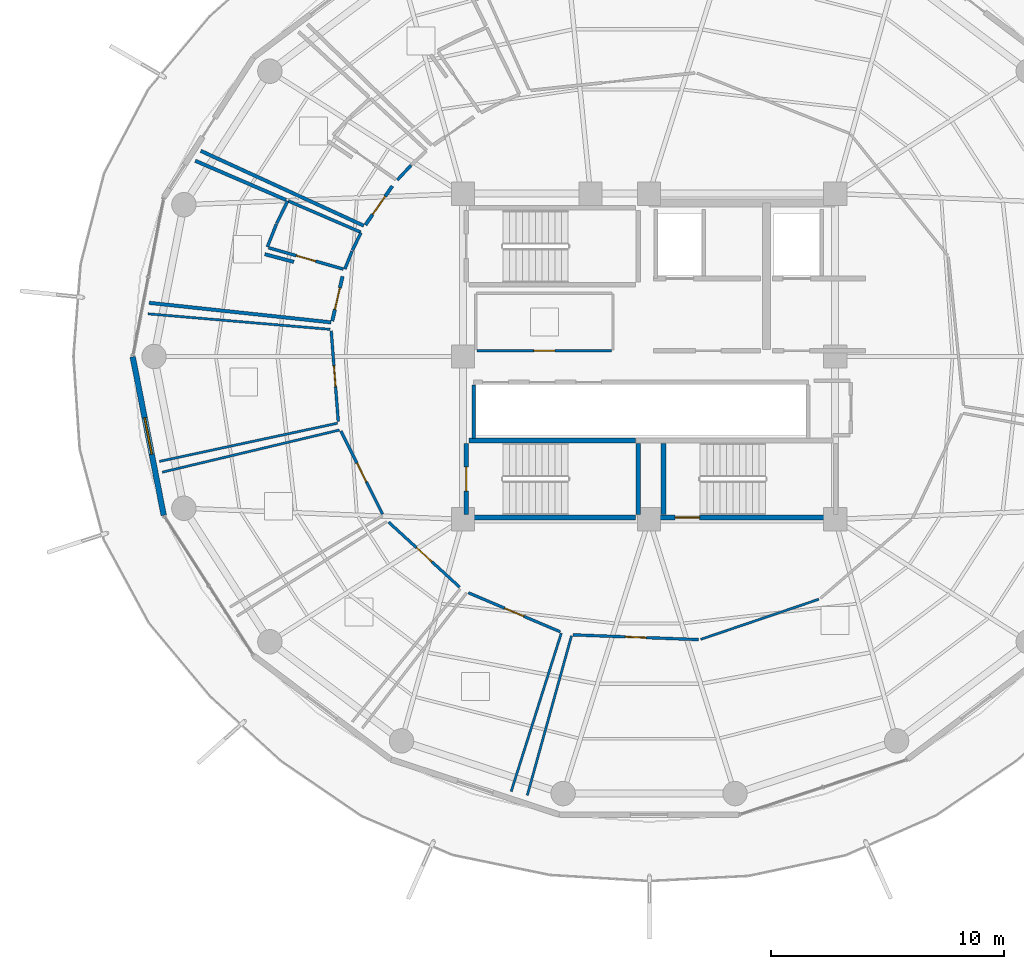
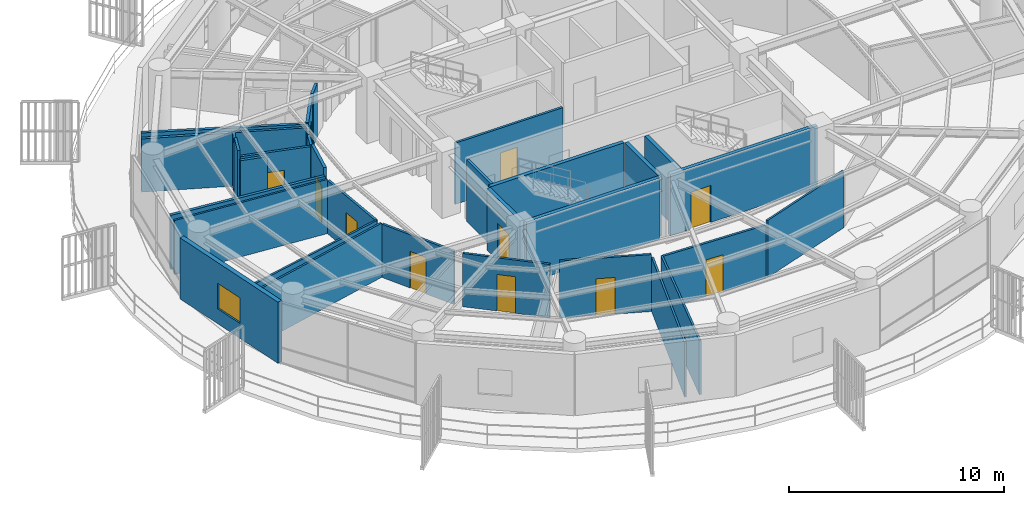
# One storey, part 24 of 31: 33 walls, 11 doors, 1 window, 12 openings.
"""IFC4 building model written with IfcOpenShell, lengths in metres."""

from ifc_helpers import new_model, si_unit, direction, frame, frame_2d, origin, place, context, subcontext, project, spatial, rectangle, extrude, material, layer, layer_set, type_object, element, fill, save


model = new_model("IFC4")

# Units and contexts
model_context = context("Model", 3, precision=1e-05, world=origin(), true_north=direction((0.0, 1.0)))
body_context = subcontext(model_context, "Body", "Model", "MODEL_VIEW")
ifc_project = project(units=[si_unit("LENGTHUNIT", "METRE"), si_unit("AREAUNIT", "SQUARE_METRE"), si_unit("VOLUMEUNIT", "CUBIC_METRE"), si_unit("PLANEANGLEUNIT", "RADIAN"), si_unit("MASSUNIT", "GRAM", prefix="KILO")], contexts=[model_context])

# Site, building, storey
site_placement = place(None, origin())
site = spatial("IfcSite", under=ifc_project, at=site_placement, CompositionType="ELEMENT")
building_placement = place(site_placement, origin())
building = spatial("IfcBuilding", under=site, at=building_placement, Name="Kelanora Arch Commons", CompositionType="ELEMENT")
storey_placement = place(building_placement, frame((0.0, 0.0, 223.199951171875)))
storey = spatial("IfcBuildingStorey", under=building, at=storey_placement, Name="L57", CompositionType="ELEMENT", Elevation=223.199951171875)

# Wall
ifc_material_1 = material(Name="Autoclaved aerated concrete blockwork with fire plaster", Category="masonry")
ifc_layer_1 = layer(ifc_material_1, 0.14990234375)
ifc_layer_set_1 = layer_set([ifc_layer_1], Name="Autoclaved aerated concrete blockwork with fire plaster")
wall_type_1 = type_object("IfcWallType", Name="W-COMP-150", PredefinedType="PARTITIONING", material=ifc_layer_set_1)
wall_1_placement = place(storey_placement, frame((66.4599609375, 54.47998046875, 0.0), z_axis=(0.0, 0.0, 1.0), x_axis=(0.0, 1.0, 0.0)))
element("IfcWall", 1, at=wall_1_placement, inside=storey, type_object=wall_type_1, Name="South Lift Bank West Wall L57", PredefinedType="PARTITIONING", context=body_context, shape_type="SweptSolid", body=[
    extrude(rectangle(XDim=2.2900390625, YDim=0.14990234375, at=frame_2d((1.14501953125, 0.0))), origin(), (0.0, 0.0, 1.0), 3.47998046875),
])

# Wall, opening, door
wall_2_placement = place(storey_placement, frame((62.962890625, 65.32568359375, 0.0), z_axis=(0.0, 0.0, 1.0), x_axis=(-0.569634666298, -0.821898014933, 0.0)))
wall_2 = element("IfcWall", 2, at=wall_2_placement, inside=storey, type_object=wall_type_1, Name="Cluster Bedroom L57-02 Entry Partition", PredefinedType="PARTITIONING", context=body_context, shape_type="SweptSolid", body=[
    extrude(rectangle(XDim=2.032470703125, YDim=0.14990234375, at=frame_2d((1.01611328125, 0.0))), origin(), (0.0, 0.0, 1.0), 3.025146484375),
])
opening_1_placement = place(wall_2_placement, frame((0.541015625, 0.0, 0.0)))
opening_1 = element("IfcOpeningElement", 3, at=opening_1_placement, cuts=wall_2, Name="Opening D-CLU1", PredefinedType="OPENING", context=body_context, shape_type="SweptSolid", body=[
    extrude(rectangle(XDim=0.949951171875, YDim=2.080078125, at=frame_2d((0.47509765625, 1.0400390625))), frame((0.0, 0.0849609375, 0.0), z_axis=(0.0, -1.0, 0.0), x_axis=(1.0, 0.0, 0.0)), (0.0, 0.0, 1.0), 0.169921875),
])
ifc_material_2 = material(Name="Solid-core acoustic timber cluster entry fire door", Category="wood")
door_type_1 = type_object("IfcDoorType", Name="D-CLU-95", OperationType="NOTDEFINED", PredefinedType="DOOR", material=ifc_material_2)
door_1_placement = place(opening_1_placement, origin())
door_1 = element("IfcDoor", 4, at=door_1_placement, inside=storey, type_object=door_type_1, Name="Cluster Bedroom L57-02 Door", OperationType="SINGLE_SWING_RIGHT", OverallHeight=2.080078125, OverallWidth=0.949951171875, PredefinedType="DOOR", context=body_context, shape_type="SweptSolid", body=[
    extrude(rectangle(XDim=0.949951171875, YDim=2.080078125, at=frame_2d((0.47509765625, 1.0400390625))), frame((0.0, 0.02490234375, 0.0), z_axis=(0.0, -1.0, 0.0), x_axis=(1.0, 0.0, 0.0)), (0.0, 0.0, 1.0), 0.050048828125),
])
fill(opening_1, door_1)

wall_3_placement = place(storey_placement, frame((60.822509765625, 61.445556640625, 0.0), z_axis=(0.0, 0.0, 1.0), x_axis=(-0.223956243079, -0.97459920028, 0.0)))
wall_3 = element("IfcWall", 5, at=wall_3_placement, inside=storey, type_object=wall_type_1, Name="Cluster Bedroom L57-03 Entry Partition", PredefinedType="PARTITIONING", context=body_context, shape_type="SweptSolid", body=[
    extrude(rectangle(XDim=1.97412109375, YDim=0.14990234375, at=frame_2d((0.987060546875, 0.0))), origin(), (0.0, 0.0, 1.0), 3.47998046875),
])
opening_2_placement = place(wall_3_placement, frame((0.511962890625, 0.0, 0.0)))
opening_2 = element("IfcOpeningElement", 6, at=opening_2_placement, cuts=wall_3, Name="Opening D-CLU1", PredefinedType="OPENING", context=body_context, shape_type="SweptSolid", body=[
    extrude(rectangle(XDim=0.949951171875, YDim=2.080078125, at=frame_2d((0.47509765625, 1.0400390625))), frame((0.0, 0.0849609375, 0.0), z_axis=(0.0, -1.0, 0.0), x_axis=(1.0, 0.0, 0.0)), (0.0, 0.0, 1.0), 0.169921875),
])
door_2_placement = place(opening_2_placement, origin())
door_2 = element("IfcDoor", 7, at=door_2_placement, inside=storey, type_object=door_type_1, Name="Cluster Bedroom L57-03 Door", OperationType="SINGLE_SWING_RIGHT", OverallHeight=2.080078125, OverallWidth=0.949951171875, PredefinedType="DOOR", context=body_context, shape_type="SweptSolid", body=[
    extrude(rectangle(XDim=0.949951171875, YDim=2.080078125, at=frame_2d((0.47509765625, 1.0400390625))), frame((0.0, 0.02490234375, 0.0), z_axis=(0.0, -1.0, 0.0), x_axis=(1.0, 0.0, 0.0)), (0.0, 0.0, 1.0), 0.050048828125),
])
fill(opening_2, door_2)

# Walls
wall_4_placement = place(storey_placement, frame((61.734619140625, 63.622802734375, 0.0), z_axis=(0.0, 0.0, 1.0), x_axis=(-0.908799831152, 0.417232389561, 0.0)))
element("IfcWall", 8, at=wall_4_placement, inside=storey, type_object=wall_type_1, Name="Cluster Bedroom L57-02 Enclosure Partition 2", PredefinedType="PARTITIONING", context=body_context, shape_type="SweptSolid", body=[
    extrude(rectangle(XDim=7.711669921875, YDim=0.14990234375, at=frame_2d((3.85595703125, 0.0))), origin(), (0.0, 0.0, 1.0), 3.025146484375),
])
wall_5_placement = place(storey_placement, frame((60.3271484375, 59.46728515625, 0.0), z_axis=(0.0, 0.0, 1.0), x_axis=(-0.994280915129, 0.10679635673, 0.0)))
element("IfcWall", 9, at=wall_5_placement, inside=storey, type_object=wall_type_1, Name="Cluster Bedroom L57-03 Enclosure Partition 2", PredefinedType="PARTITIONING", context=body_context, shape_type="SweptSolid", body=[
    extrude(rectangle(XDim=7.859375, YDim=0.14990234375, at=frame_2d((3.9296875, 0.0))), origin(), (0.0, 0.0, 1.0), 3.074951171875),
])
wall_6_placement = place(storey_placement, frame((54.49169921875, 66.4140625, 0.0), z_axis=(0.0, 0.0, 1.0), x_axis=(0.918147334224, -0.396239160934, 0.0)))
element("IfcWall", 10, at=wall_6_placement, inside=storey, type_object=wall_type_1, Name="Cluster Bedroom L57-03 Enclosure Partition 5", PredefinedType="PARTITIONING", context=body_context, shape_type="SweptSolid", body=[
    extrude(rectangle(XDim=4.252685546875, YDim=0.14990234375, at=frame_2d((2.12646484375, 0.0))), origin(), (0.0, 0.0, 1.0), 3.025146484375),
])
wall_7_placement = place(storey_placement, frame((57.482666015625, 62.397705078125, 0.0), z_axis=(0.0, 0.0, 1.0), x_axis=(0.966263202112, -0.257556642788, 0.0)))
element("IfcWall", 11, at=wall_7_placement, inside=storey, type_object=wall_type_1, Name="Cluster Bedroom L57-03 Enclosure Partition 7", PredefinedType="PARTITIONING", context=body_context, shape_type="SweptSolid", body=[
    extrude(rectangle(XDim=1.2900390625, YDim=0.14990234375, at=frame_2d((0.64501953125, 0.0))), origin(), (0.0, 0.0, 1.0), 3.175048828125),
])

# Wall, opening, window
ifc_material_3 = material(Name="Precast concrete C40/50 upper-zone terracotta rainscreen", Category="masonry")
ifc_layer_2 = layer(ifc_material_3, 0.239990234375)
ifc_layer_set_2 = layer_set([ifc_layer_2], Name="Precast concrete C40/50 upper-zone terracotta rainscreen")
wall_type_2 = type_object("IfcWallType", Name="W-EXT-TC2", PredefinedType="SOLIDWALL", material=ifc_layer_set_2)
wall_8_placement = place(storey_placement, frame((51.802978515625, 57.9853515625, 0.0), z_axis=(0.0, 0.0, 1.0), x_axis=(0.192069055673, -0.981381413036, 0.0)))
wall_8 = element("IfcWall", 12, at=wall_8_placement, inside=storey, type_object=wall_type_2, Name="Terracotta Exterior Wall L57-B09", PredefinedType="SOLIDWALL", context=body_context, shape_type="SweptSolid", body=[
    extrude(rectangle(XDim=6.940185546875, YDim=0.239990234375, at=frame_2d((3.47021484375, 0.0))), origin(), (0.0, 0.0, 1.0), 3.47509765625),
])
opening_3_placement = place(wall_8_placement, frame((2.669921875, 0.0, 0.85009765625)))
opening_3 = element("IfcOpeningElement", 13, at=opening_3_placement, cuts=wall_8, Name="Opening WN-01", PredefinedType="OPENING", context=body_context, shape_type="SweptSolid", body=[
    extrude(rectangle(XDim=1.60009765625, YDim=1.449951171875, at=frame_2d((0.800048828125, 0.72509765625))), frame((0.0, 0.1298828125, 0.0), z_axis=(0.0, -1.0, 0.0), x_axis=(1.0, 0.0, 0.0)), (0.0, 0.0, 1.0), 0.260009765625),
])
ifc_material_4 = material(Name="Terracotta-anodised aluminium frame with operable low-E glazing", Category="masonry")
window_type = type_object("IfcWindowType", Name="WIN-CL-18", PartitioningType="DOUBLE_PANEL_VERTICAL", PredefinedType="WINDOW", material=ifc_material_4)
window_placement = place(opening_3_placement, origin())
window = element("IfcWindow", 14, at=window_placement, inside=storey, type_object=window_type, Name="Co-Living Operable Window L57-B09", OverallHeight=1.449951171875, OverallWidth=1.60009765625, PartitioningType="SINGLE_PANEL", PredefinedType="WINDOW", context=body_context, shape_type="SweptSolid", body=[
    extrude(rectangle(XDim=1.60009765625, YDim=1.449951171875, at=frame_2d((0.800048828125, 0.72509765625))), frame((0.0, 0.030029296875, 0.0), z_axis=(0.0, -1.0, 0.0), x_axis=(1.0, 0.0, 0.0)), (0.0, 0.0, 1.0), 0.06005859375),
])
fill(opening_3, window)

# Walls
ifc_material_5 = material(Name="Lightweight fire-rated acoustic stud partition")
ifc_layer_3 = layer(ifc_material_5, 0.10009765625)
ifc_layer_set_3 = layer_set([ifc_layer_3], Name="Lightweight fire-rated acoustic stud partition")
wall_type_3 = type_object("IfcWallType", Name="W-PART-100", PredefinedType="PARTITIONING", material=ifc_layer_set_3)
wall_9_placement = place(storey_placement, frame((76.220947265625, 45.83984375, 0.0), z_axis=(0.0, 0.0, 1.0), x_axis=(0.946842090113, 0.321698704367, 0.0)))
element("IfcWall", 15, at=wall_9_placement, inside=storey, type_object=wall_type_3, Name="South-East Social Sky Lounge L57 Enclosure Partition 2", PredefinedType="PARTITIONING", context=body_context, shape_type="SweptSolid", body=[
    extrude(rectangle(XDim=5.36328125, YDim=0.10009765625, at=frame_2d((2.681640625, 0.0))), origin(), (0.0, 0.0, 1.0), 3.235107421875),
])
wall_10_placement = place(storey_placement, frame((68.765625, 39.137451171875, 0.0), z_axis=(0.0, 0.0, 1.0), x_axis=(0.267125564166, 0.96366173161, 0.0)))
element("IfcWall", 16, at=wall_10_placement, inside=storey, type_object=wall_type_3, Name="South-East Social Sky Lounge L57 Enclosure Partition 10", PredefinedType="PARTITIONING", context=body_context, shape_type="SweptSolid", body=[
    extrude(rectangle(XDim=7.118896484375, YDim=0.10009765625, at=frame_2d((3.5595703125, 0.0))), origin(), (0.0, 0.0, 1.0), 3.074951171875),
])
wall_11_placement = place(storey_placement, frame((60.60595703125, 55.131591796875, 0.0), z_axis=(0.0, 0.0, 1.0), x_axis=(-0.977761328162, -0.209720731335, 0.0)))
element("IfcWall", 17, at=wall_11_placement, inside=storey, type_object=wall_type_3, Name="Shared Cluster Kitchen L57-04 Enclosure Partition 2", PredefinedType="PARTITIONING", context=body_context, shape_type="SweptSolid", body=[
    extrude(rectangle(XDim=7.829833984375, YDim=0.10009765625, at=frame_2d((3.9150390625, 0.0))), origin(), (0.0, 0.0, 1.0), 3.074951171875),
])
wall_12_placement = place(storey_placement, frame((52.456787109375, 59.834716796875, 0.0), z_axis=(0.0, 0.0, 1.0), x_axis=(0.996382192496, -0.084985448623, 0.0)))
element("IfcWall", 18, at=wall_12_placement, inside=storey, type_object=wall_type_3, Name="Shared Cluster Kitchen L57-04 Enclosure Partition 4", PredefinedType="PARTITIONING", context=body_context, shape_type="SweptSolid", body=[
    extrude(rectangle(XDim=7.86279296875, YDim=0.10009765625, at=frame_2d((3.931396484375, 0.0))), origin(), (0.0, 0.0, 1.0), 3.074951171875),
])
wall_13_placement = place(storey_placement, frame((53.079833984375, 53.0283203125, 0.0), z_axis=(0.0, 0.0, 1.0), x_axis=(0.972861128156, 0.231389769272, 0.0)))
element("IfcWall", 19, at=wall_13_placement, inside=storey, type_object=wall_type_3, Name="Social Sky Lounge L57-05 Enclosure Partition 4", PredefinedType="PARTITIONING", context=body_context, shape_type="SweptSolid", body=[
    extrude(rectangle(XDim=7.8193359375, YDim=0.10009765625, at=frame_2d((3.90966796875, 0.0))), origin(), (0.0, 0.0, 1.0), 3.074951171875),
])
wall_14_placement = place(storey_placement, frame((70.226806640625, 46.10400390625, 0.0), z_axis=(0.0, 0.0, 1.0), x_axis=(-0.30191088513, -0.953336151334, 0.0)))
element("IfcWall", 20, at=wall_14_placement, inside=storey, type_object=wall_type_3, Name="Quiet Seminar Study Room L57-07 Enclosure Partition 2", PredefinedType="PARTITIONING", context=body_context, shape_type="SweptSolid", body=[
    extrude(rectangle(XDim=7.134033203125, YDim=0.10009765625, at=frame_2d((3.56689453125, 0.0))), origin(), (0.0, 0.0, 1.0), 3.074951171875),
])

# Wall, opening, door
ifc_material_6 = material(Name="Acoustic twin-stud fire-rated gypsum partition")
ifc_layer_4 = layer(ifc_material_6, 0.1201171875)
ifc_layer_set_4 = layer_set([ifc_layer_4], Name="Acoustic twin-stud fire-rated gypsum partition")
wall_type_4 = type_object("IfcWallType", Name="W-PART-120", PredefinedType="PARTITIONING", material=ifc_layer_set_4)
wall_15_placement = place(storey_placement, frame((66.610107421875, 58.25, 0.0), z_axis=(0.0, 0.0, 1.0), x_axis=(1.0, 0.0, 0.0)))
wall_15 = element("IfcWall", 21, at=wall_15_placement, inside=storey, type_object=wall_type_4, Name="Reclaimed Core Study Pod Lounge L57 Entry Partition", PredefinedType="PARTITIONING", context=body_context, shape_type="SweptSolid", body=[
    extrude(rectangle(XDim=5.77978515625, YDim=0.1201171875, at=frame_2d((2.889892578125, 0.0))), origin(), (0.0, 0.0, 1.0), 3.47998046875),
])
opening_4_placement = place(wall_15_placement, frame((2.43994140625, 0.0, 0.0)))
opening_4 = element("IfcOpeningElement", 22, at=opening_4_placement, cuts=wall_15, Name="Opening D-RM1", PredefinedType="OPENING", context=body_context, shape_type="SweptSolid", body=[
    extrude(rectangle(XDim=0.89990234375, YDim=2.080078125, at=frame_2d((0.449951171875, 1.0400390625))), frame((0.0, 0.070068359375, 0.0), z_axis=(0.0, -1.0, 0.0), x_axis=(1.0, 0.0, 0.0)), (0.0, 0.0, 1.0), 0.14013671875),
])
ifc_material_7 = material(Name="Acoustic fire-rated timber study and lounge door", Category="wood")
door_type_2 = type_object("IfcDoorType", Name="D-ROOM-90", OperationType="NOTDEFINED", PredefinedType="DOOR", material=ifc_material_7)
door_3_placement = place(opening_4_placement, origin())
door_3 = element("IfcDoor", 23, at=door_3_placement, inside=storey, type_object=door_type_2, Name="Reclaimed Core Study Pod Lounge L57 Door", OperationType="SINGLE_SWING_RIGHT", OverallHeight=2.080078125, OverallWidth=0.89990234375, PredefinedType="DOOR", context=body_context, shape_type="SweptSolid", body=[
    extrude(rectangle(XDim=0.89990234375, YDim=2.080078125, at=frame_2d((0.449951171875, 1.0400390625))), frame((0.0, 0.02490234375, 0.0), z_axis=(0.0, -1.0, 0.0), x_axis=(1.0, 0.0, 0.0)), (0.0, 0.0, 1.0), 0.050048828125),
])
fill(opening_4, door_3)

wall_16_placement = place(storey_placement, frame((70.738037109375, 46.03369140625, 0.0), z_axis=(0.0, 0.0, 1.0), x_axis=(0.99928078405, -0.037919844777, 0.0)))
wall_16 = element("IfcWall", 24, at=wall_16_placement, inside=storey, type_object=wall_type_4, Name="South-East Social Sky Lounge L57 Entry Partition", PredefinedType="PARTITIONING", context=body_context, shape_type="SweptSolid", body=[
    extrude(rectangle(XDim=5.388916015625, YDim=0.1201171875, at=frame_2d((2.6943359375, 0.0))), origin(), (0.0, 0.0, 1.0), 3.025146484375),
])
opening_5_placement = place(wall_16_placement, frame((2.243896484375, 0.0, 0.0)))
opening_5 = element("IfcOpeningElement", 25, at=opening_5_placement, cuts=wall_16, Name="Opening D-RM1", PredefinedType="OPENING", context=body_context, shape_type="SweptSolid", body=[
    extrude(rectangle(XDim=0.89990234375, YDim=2.080078125, at=frame_2d((0.449951171875, 1.0400390625))), frame((0.0, 0.070068359375, 0.0), z_axis=(0.0, -1.0, 0.0), x_axis=(1.0, 0.0, 0.0)), (0.0, 0.0, 1.0), 0.14013671875),
])
door_4_placement = place(opening_5_placement, origin())
door_4 = element("IfcDoor", 26, at=door_4_placement, inside=storey, type_object=door_type_2, Name="South-East Social Sky Lounge L57 Door", OperationType="SINGLE_SWING_LEFT", OverallHeight=2.080078125, OverallWidth=0.89990234375, PredefinedType="DOOR", context=body_context, shape_type="SweptSolid", body=[
    extrude(rectangle(XDim=0.89990234375, YDim=2.080078125, at=frame_2d((0.449951171875, 1.0400390625))), frame((0.0, 0.02490234375, 0.0), z_axis=(0.0, -1.0, 0.0), x_axis=(1.0, 0.0, 0.0)), (0.0, 0.0, 1.0), 0.050048828125),
])
fill(opening_5, door_4)

wall_17_placement = place(storey_placement, frame((60.335693359375, 59.103271484375, 0.0), z_axis=(0.0, 0.0, 1.0), x_axis=(0.07781697677, -0.996967661525, 0.0)))
wall_17 = element("IfcWall", 27, at=wall_17_placement, inside=storey, type_object=wall_type_4, Name="Shared Cluster Kitchen L57-04 Entry Partition", PredefinedType="PARTITIONING", context=body_context, shape_type="SweptSolid", body=[
    extrude(rectangle(XDim=3.91552734375, YDim=0.1201171875, at=frame_2d((1.957763671875, 0.0))), origin(), (0.0, 0.0, 1.0), 3.025146484375),
])
opening_6_placement = place(wall_17_placement, frame((1.508056640625, 0.0, 0.0)))
opening_6 = element("IfcOpeningElement", 28, at=opening_6_placement, cuts=wall_17, Name="Opening D-RM1", PredefinedType="OPENING", context=body_context, shape_type="SweptSolid", body=[
    extrude(rectangle(XDim=0.89990234375, YDim=2.080078125, at=frame_2d((0.449951171875, 1.0400390625))), frame((0.0, 0.070068359375, 0.0), z_axis=(0.0, -1.0, 0.0), x_axis=(1.0, 0.0, 0.0)), (0.0, 0.0, 1.0), 0.14013671875),
])
door_5_placement = place(opening_6_placement, origin())
door_5 = element("IfcDoor", 29, at=door_5_placement, inside=storey, type_object=door_type_2, Name="Shared Cluster Kitchen L57-04 Door", OperationType="SINGLE_SWING_LEFT", OverallHeight=2.080078125, OverallWidth=0.89990234375, PredefinedType="DOOR", context=body_context, shape_type="SweptSolid", body=[
    extrude(rectangle(XDim=0.89990234375, YDim=2.080078125, at=frame_2d((0.449951171875, 1.0400390625))), frame((0.0, 0.02490234375, 0.0), z_axis=(0.0, -1.0, 0.0), x_axis=(1.0, 0.0, 0.0)), (0.0, 0.0, 1.0), 0.050048828125),
])
fill(opening_6, door_5)

wall_18_placement = place(storey_placement, frame((60.7529296875, 54.79345703125, 0.0), z_axis=(0.0, 0.0, 1.0), x_axis=(0.448191244457, -0.893937698272, 0.0)))
wall_18 = element("IfcWall", 30, at=wall_18_placement, inside=storey, type_object=wall_type_4, Name="Social Sky Lounge L57-05 Entry Partition", PredefinedType="PARTITIONING", context=body_context, shape_type="SweptSolid", body=[
    extrude(rectangle(XDim=3.994384765625, YDim=0.1201171875, at=frame_2d((1.9970703125, 0.0))), origin(), (0.0, 0.0, 1.0), 3.025146484375),
])
opening_7_placement = place(wall_18_placement, frame((1.547119140625, 0.0, 0.0)))
opening_7 = element("IfcOpeningElement", 31, at=opening_7_placement, cuts=wall_18, Name="Opening D-RM1", PredefinedType="OPENING", context=body_context, shape_type="SweptSolid", body=[
    extrude(rectangle(XDim=0.89990234375, YDim=2.080078125, at=frame_2d((0.449951171875, 1.0400390625))), frame((0.0, 0.070068359375, 0.0), z_axis=(0.0, -1.0, 0.0), x_axis=(1.0, 0.0, 0.0)), (0.0, 0.0, 1.0), 0.14013671875),
])
door_6_placement = place(opening_7_placement, origin())
door_6 = element("IfcDoor", 32, at=door_6_placement, inside=storey, type_object=door_type_2, Name="Social Sky Lounge L57-05 Door", OperationType="SINGLE_SWING_RIGHT", OverallHeight=2.080078125, OverallWidth=0.89990234375, PredefinedType="DOOR", context=body_context, shape_type="SweptSolid", body=[
    extrude(rectangle(XDim=0.89990234375, YDim=2.080078125, at=frame_2d((0.449951171875, 1.0400390625))), frame((0.0, 0.02490234375, 0.0), z_axis=(0.0, -1.0, 0.0), x_axis=(1.0, 0.0, 0.0)), (0.0, 0.0, 1.0), 0.050048828125),
])
fill(opening_7, door_6)

wall_19_placement = place(storey_placement, frame((62.80322265625, 50.87939453125, 0.0), z_axis=(0.0, 0.0, 1.0), x_axis=(0.737723633035, -0.675102837545, 0.0)))
wall_19 = element("IfcWall", 33, at=wall_19_placement, inside=storey, type_object=wall_type_4, Name="Quiet Seminar Study Room L57-06 Entry Partition", PredefinedType="PARTITIONING", context=body_context, shape_type="SweptSolid", body=[
    extrude(rectangle(XDim=4.144287109375, YDim=0.1201171875, at=frame_2d((2.072265625, 0.0))), origin(), (0.0, 0.0, 1.0), 3.025146484375),
])
opening_8_placement = place(wall_19_placement, frame((1.6220703125, 0.0, 0.0)))
opening_8 = element("IfcOpeningElement", 34, at=opening_8_placement, cuts=wall_19, Name="Opening D-RM1", PredefinedType="OPENING", context=body_context, shape_type="SweptSolid", body=[
    extrude(rectangle(XDim=0.89990234375, YDim=2.080078125, at=frame_2d((0.449951171875, 1.0400390625))), frame((0.0, 0.070068359375, 0.0), z_axis=(0.0, -1.0, 0.0), x_axis=(1.0, 0.0, 0.0)), (0.0, 0.0, 1.0), 0.14013671875),
])
door_7_placement = place(opening_8_placement, origin())
door_7 = element("IfcDoor", 35, at=door_7_placement, inside=storey, type_object=door_type_2, Name="Quiet Seminar Study Room L57-06 Door", OperationType="SINGLE_SWING_LEFT", OverallHeight=2.080078125, OverallWidth=0.89990234375, PredefinedType="DOOR", context=body_context, shape_type="SweptSolid", body=[
    extrude(rectangle(XDim=0.89990234375, YDim=2.080078125, at=frame_2d((0.449951171875, 1.0400390625))), frame((0.0, 0.02490234375, 0.0), z_axis=(0.0, -1.0, 0.0), x_axis=(1.0, 0.0, 0.0)), (0.0, 0.0, 1.0), 0.050048828125),
])
fill(opening_8, door_7)

wall_20_placement = place(storey_placement, frame((66.233154296875, 47.842529296875, 0.0), z_axis=(0.0, 0.0, 1.0), x_axis=(0.920481353999, -0.390786485105, 0.0)))
wall_20 = element("IfcWall", 36, at=wall_20_placement, inside=storey, type_object=wall_type_4, Name="Quiet Seminar Study Room L57-07 Entry Partition", PredefinedType="PARTITIONING", context=body_context, shape_type="SweptSolid", body=[
    extrude(rectangle(XDim=4.2919921875, YDim=0.1201171875, at=frame_2d((2.14599609375, 0.0))), origin(), (0.0, 0.0, 1.0), 3.235107421875),
])
opening_9_placement = place(wall_20_placement, frame((1.696044921875, 0.0, 0.0)))
opening_9 = element("IfcOpeningElement", 37, at=opening_9_placement, cuts=wall_20, Name="Opening D-RM1", PredefinedType="OPENING", context=body_context, shape_type="SweptSolid", body=[
    extrude(rectangle(XDim=0.89990234375, YDim=2.080078125, at=frame_2d((0.449951171875, 1.0400390625))), frame((0.0, 0.070068359375, 0.0), z_axis=(0.0, -1.0, 0.0), x_axis=(1.0, 0.0, 0.0)), (0.0, 0.0, 1.0), 0.14013671875),
])
door_8_placement = place(opening_9_placement, origin())
door_8 = element("IfcDoor", 38, at=door_8_placement, inside=storey, type_object=door_type_2, Name="Quiet Seminar Study Room L57-07 Door", OperationType="SINGLE_SWING_RIGHT", OverallHeight=2.080078125, OverallWidth=0.89990234375, PredefinedType="DOOR", context=body_context, shape_type="SweptSolid", body=[
    extrude(rectangle(XDim=0.89990234375, YDim=2.080078125, at=frame_2d((0.449951171875, 1.0400390625))), frame((0.0, 0.02490234375, 0.0), z_axis=(0.0, -1.0, 0.0), x_axis=(1.0, 0.0, 0.0)), (0.0, 0.0, 1.0), 0.050048828125),
])
fill(opening_9, door_8)

ifc_material_8 = material(Name="Concrete C40/50", Category="concrete")
ifc_layer_5 = layer(ifc_material_8, 0.199951171875)
ifc_layer_set_5 = layer_set([ifc_layer_5], Name="Concrete C40/50")
wall_type_5 = type_object("IfcWallType", Name="W-STAIR-200", PredefinedType="SHEAR", material=ifc_layer_set_5)
wall_21_placement = place(storey_placement, frame((74.0, 51.080078125, 0.0), z_axis=(0.0, 0.0, 1.0), x_axis=(1.0, 0.0, 0.0)))
wall_21 = element("IfcWall", 39, at=wall_21_placement, inside=storey, type_object=wall_type_5, Name="Stair ST-T2 Shaft Wall S L57", PredefinedType="SHEAR", context=body_context, shape_type="SweptSolid", body=[
    extrude(rectangle(XDim=7.89990234375, YDim=0.199951171875, at=frame_2d((3.949951171875, 0.0))), origin(), (0.0, 0.0, 1.0), 3.489990234375),
])
opening_10_placement = place(wall_21_placement, frame((1.1201171875, 0.0, 0.0)))
opening_10 = element("IfcOpeningElement", 40, at=opening_10_placement, cuts=wall_21, Name="Opening D-ST1", PredefinedType="OPENING", context=body_context, shape_type="SweptSolid", body=[
    extrude(rectangle(XDim=1.050048828125, YDim=2.10009765625, at=frame_2d((0.52490234375, 1.050048828125))), frame((0.0, 0.10986328125, 0.0), z_axis=(0.0, -1.0, 0.0), x_axis=(1.0, 0.0, 0.0)), (0.0, 0.0, 1.0), 0.219970703125),
])
ifc_material_9 = material(Name="Steel fire-rated stairwell escape door", Category="steel")
door_type_3 = type_object("IfcDoorType", Name="D-STAIR-110", OperationType="NOTDEFINED", PredefinedType="DOOR", material=ifc_material_9)
door_9_placement = place(opening_10_placement, origin())
door_9 = element("IfcDoor", 41, at=door_9_placement, inside=storey, type_object=door_type_3, Name="Stair ST-T2 Escape Door L57", OperationType="SINGLE_SWING_LEFT", OverallHeight=2.10009765625, OverallWidth=1.050048828125, PredefinedType="DOOR", context=body_context, shape_type="SweptSolid", body=[
    extrude(rectangle(XDim=1.050048828125, YDim=2.10009765625, at=frame_2d((0.52490234375, 1.050048828125))), frame((0.0, 0.02490234375, 0.0), z_axis=(0.0, -1.0, 0.0), x_axis=(1.0, 0.0, 0.0)), (0.0, 0.0, 1.0), 0.050048828125),
])
fill(opening_10, door_9)

# Walls
wall_22_placement = place(storey_placement, frame((74.6201171875, 54.27001953125, 0.0), z_axis=(0.0, 0.0, 1.0), x_axis=(0.0, -1.0, 0.0)))
element("IfcWall", 42, at=wall_22_placement, inside=storey, type_object=wall_type_5, Name="Stair ST-T2 Shaft Wall W L57", PredefinedType="SHEAR", context=body_context, shape_type="SweptSolid", body=[
    extrude(rectangle(XDim=3.070068359375, YDim=0.199951171875, at=frame_2d((1.53515625, 0.0))), origin(), (0.0, 0.0, 1.0), 3.489990234375),
])
wall_23_placement = place(storey_placement, frame((66.260009765625, 51.080078125, 0.0), z_axis=(0.0, 0.0, 1.0), x_axis=(1.0, 0.0, 0.0)))
element("IfcWall", 43, at=wall_23_placement, inside=storey, type_object=wall_type_5, Name="Stair ST-T3 Shaft Wall S L57", PredefinedType="SHEAR", context=body_context, shape_type="SweptSolid", body=[
    extrude(rectangle(XDim=7.159912109375, YDim=0.199951171875, at=frame_2d((3.580078125, 0.0))), origin(), (0.0, 0.0, 1.0), 3.489990234375),
])
wall_24_placement = place(storey_placement, frame((73.5400390625, 51.199951171875, 0.0), z_axis=(0.0, 0.0, 1.0), x_axis=(0.0, 1.0, 0.0)))
element("IfcWall", 44, at=wall_24_placement, inside=storey, type_object=wall_type_5, Name="Stair ST-T3 Shaft Wall E L57", PredefinedType="SHEAR", context=body_context, shape_type="SweptSolid", body=[
    extrude(rectangle(XDim=3.070068359375, YDim=0.199951171875, at=frame_2d((1.53515625, 0.0))), origin(), (0.0, 0.0, 1.0), 3.489990234375),
])
wall_25_placement = place(storey_placement, frame((73.419921875, 54.389892578125, 0.0), z_axis=(0.0, 0.0, 1.0), x_axis=(-1.0, 0.0, 0.0)))
element("IfcWall", 45, at=wall_25_placement, inside=storey, type_object=wall_type_5, Name="Stair ST-T3 Shaft Wall N L57", PredefinedType="SHEAR", context=body_context, shape_type="SweptSolid", body=[
    extrude(rectangle(XDim=7.159912109375, YDim=0.199951171875, at=frame_2d((3.580078125, 0.0))), origin(), (0.0, 0.0, 1.0), 3.489990234375),
])

# Wall, opening, door
wall_26_placement = place(storey_placement, frame((66.139892578125, 54.27001953125, 0.0), z_axis=(0.0, 0.0, 1.0), x_axis=(0.0, -1.0, 0.0)))
wall_26 = element("IfcWall", 46, at=wall_26_placement, inside=storey, type_object=wall_type_5, Name="Stair ST-T3 Shaft Wall W L57", PredefinedType="SHEAR", context=body_context, shape_type="SweptSolid", body=[
    extrude(rectangle(XDim=3.070068359375, YDim=0.199951171875, at=frame_2d((1.53515625, 0.0))), origin(), (0.0, 0.0, 1.0), 3.489990234375),
])
opening_11_placement = place(wall_26_placement, frame((1.010009765625, 0.0, 0.0)))
opening_11 = element("IfcOpeningElement", 47, at=opening_11_placement, cuts=wall_26, Name="Opening D-ST1", PredefinedType="OPENING", context=body_context, shape_type="SweptSolid", body=[
    extrude(rectangle(XDim=1.050048828125, YDim=2.10009765625, at=frame_2d((0.52490234375, 1.050048828125))), frame((0.0, 0.10986328125, 0.0), z_axis=(0.0, -1.0, 0.0), x_axis=(1.0, 0.0, 0.0)), (0.0, 0.0, 1.0), 0.219970703125),
])
door_10_placement = place(opening_11_placement, origin())
door_10 = element("IfcDoor", 48, at=door_10_placement, inside=storey, type_object=door_type_3, Name="Stair ST-T3 Escape Door L57", OperationType="SINGLE_SWING_LEFT", OverallHeight=2.10009765625, OverallWidth=1.050048828125, PredefinedType="DOOR", context=body_context, shape_type="SweptSolid", body=[
    extrude(rectangle(XDim=1.050048828125, YDim=2.10009765625, at=frame_2d((0.52490234375, 1.050048828125))), frame((0.0, 0.02490234375, 0.0), z_axis=(0.0, -1.0, 0.0), x_axis=(1.0, 0.0, 0.0)), (0.0, 0.0, 1.0), 0.050048828125),
])
fill(opening_11, door_10)

ifc_material_10 = material(Name="Moisture-resistant fire-rated cement-board plumbing wall")
ifc_layer_6 = layer(ifc_material_10, 0.1298828125)
ifc_layer_set_6 = layer_set([ifc_layer_6], Name="Moisture-resistant fire-rated cement-board plumbing wall")
wall_type_6 = type_object("IfcWallType", Name="W-WET-120", PredefinedType="PLUMBINGWALL", material=ifc_layer_set_6)
wall_27_placement = place(storey_placement, frame((60.859375, 61.756591796875, 0.0), z_axis=(0.0, 0.0, 1.0), x_axis=(-0.961479890051, 0.274875282679, 0.0)))
wall_27 = element("IfcWall", 49, at=wall_27_placement, inside=storey, type_object=wall_type_6, Name="En-Suite Shower WC L57-03 Entry Partition", PredefinedType="PLUMBINGWALL", context=body_context, shape_type="SweptSolid", body=[
    extrude(rectangle(XDim=3.3466796875, YDim=0.1298828125, at=frame_2d((1.67333984375, 0.0))), origin(), (0.0, 0.0, 1.0), 3.175048828125),
])
opening_12_placement = place(wall_27_placement, frame((1.242919921875, 0.0, 0.0)))
opening_12 = element("IfcOpeningElement", 50, at=opening_12_placement, cuts=wall_27, Name="Opening D-BT1", PredefinedType="OPENING", context=body_context, shape_type="SweptSolid", body=[
    extrude(rectangle(XDim=0.860107421875, YDim=2.050048828125, at=frame_2d((0.43017578125, 1.02490234375))), frame((0.0, 0.074951171875, 0.0), z_axis=(0.0, -1.0, 0.0), x_axis=(1.0, 0.0, 0.0)), (0.0, 0.0, 1.0), 0.14990234375),
])
ifc_material_11 = material(Name="Moisture-sealed fire-rated accessible bathroom door")
door_type_4 = type_object("IfcDoorType", Name="D-BATH-85", OperationType="NOTDEFINED", PredefinedType="DOOR", material=ifc_material_11)
door_11_placement = place(opening_12_placement, origin())
door_11 = element("IfcDoor", 51, at=door_11_placement, inside=storey, type_object=door_type_4, Name="En-Suite Shower WC L57-03 Door", OperationType="SINGLE_SWING_LEFT", OverallHeight=2.050048828125, OverallWidth=0.860107421875, PredefinedType="DOOR", context=body_context, shape_type="SweptSolid", body=[
    extrude(rectangle(XDim=0.860107421875, YDim=2.050048828125, at=frame_2d((0.43017578125, 1.02490234375))), frame((0.0, 0.02490234375, 0.0), z_axis=(0.0, -1.0, 0.0), x_axis=(1.0, 0.0, 0.0)), (0.0, 0.0, 1.0), 0.050048828125),
])
fill(opening_12, door_11)

# Walls
wall_28_placement = place(storey_placement, frame((63.763427734375, 66.21630859375, 0.0), z_axis=(0.0, 0.0, 1.0), x_axis=(-0.681245485542, -0.732055044672, 0.0)))
element("IfcWall", 52, at=wall_28_placement, inside=storey, type_object=wall_type_6, Name="En-Suite Shower WC L57-02 Enclosure Partition 2", PredefinedType="PLUMBINGWALL", context=body_context, shape_type="SweptSolid", body=[
    extrude(rectangle(XDim=0.860107421875, YDim=0.1298828125, at=frame_2d((0.43017578125, 0.0))), origin(), (0.0, 0.0, 1.0), 3.025146484375),
])
wall_29_placement = place(storey_placement, frame((61.61328125, 63.318115234375, 0.0), z_axis=(0.0, 0.0, 1.0), x_axis=(-0.437484879269, -0.899225767208, 0.0)))
element("IfcWall", 53, at=wall_29_placement, inside=storey, type_object=wall_type_6, Name="En-Suite Shower WC L57-03 Enclosure Partition 1", PredefinedType="PLUMBINGWALL", context=body_context, shape_type="SweptSolid", body=[
    extrude(rectangle(XDim=0.83544921875, YDim=0.1298828125, at=frame_2d((0.417724609375, 0.0))), origin(), (0.0, 0.0, 1.0), 3.235107421875),
])
wall_30_placement = place(storey_placement, frame((61.231689453125, 62.530517578125, 0.0), z_axis=(0.0, 0.0, 1.0), x_axis=(-0.369921104598, -0.929063171358, 0.0)))
element("IfcWall", 54, at=wall_30_placement, inside=storey, type_object=wall_type_6, Name="En-Suite Shower WC L57-03 Enclosure Partition 2", PredefinedType="PLUMBINGWALL", context=body_context, shape_type="SweptSolid", body=[
    extrude(rectangle(XDim=0.830810546875, YDim=0.1298828125, at=frame_2d((0.41552734375, 0.0))), origin(), (0.0, 0.0, 1.0), 3.235107421875),
])
wall_31_placement = place(storey_placement, frame((57.59130859375, 62.711669921875, 0.0), z_axis=(0.0, 0.0, 1.0), x_axis=(0.368988727478, 0.929433870157, 0.0)))
element("IfcWall", 55, at=wall_31_placement, inside=storey, type_object=wall_type_6, Name="En-Suite Shower WC L57-03 Enclosure Partition 4", PredefinedType="PLUMBINGWALL", context=body_context, shape_type="SweptSolid", body=[
    extrude(rectangle(XDim=1.052001953125, YDim=0.1298828125, at=frame_2d((0.52587890625, 0.0))), origin(), (0.0, 0.0, 1.0), 3.47998046875),
])
wall_32_placement = place(storey_placement, frame((57.995849609375, 63.72607421875, 0.0), z_axis=(0.0, 0.0, 1.0), x_axis=(0.438432715101, 0.898764014816, 0.0)))
element("IfcWall", 56, at=wall_32_placement, inside=storey, type_object=wall_type_6, Name="En-Suite Shower WC L57-03 Enclosure Partition 5", PredefinedType="PLUMBINGWALL", context=body_context, shape_type="SweptSolid", body=[
    extrude(rectangle(XDim=1.05908203125, YDim=0.1298828125, at=frame_2d((0.529541015625, 0.0))), origin(), (0.0, 0.0, 1.0), 3.025146484375),
])
wall_33_placement = place(storey_placement, frame((58.4873046875, 64.68798828125, 0.0), z_axis=(0.0, 0.0, 1.0), x_axis=(0.918238400885, -0.396028078727, 0.0)))
element("IfcWall", 57, at=wall_33_placement, inside=storey, type_object=wall_type_6, Name="En-Suite Shower WC L57-03 Enclosure Partition 6", PredefinedType="PLUMBINGWALL", context=body_context, shape_type="SweptSolid", body=[
    extrude(rectangle(XDim=3.393798828125, YDim=0.1298828125, at=frame_2d((1.69677734375, 0.0))), origin(), (0.0, 0.0, 1.0), 3.025146484375),
])

save(model, "model.ifc")
